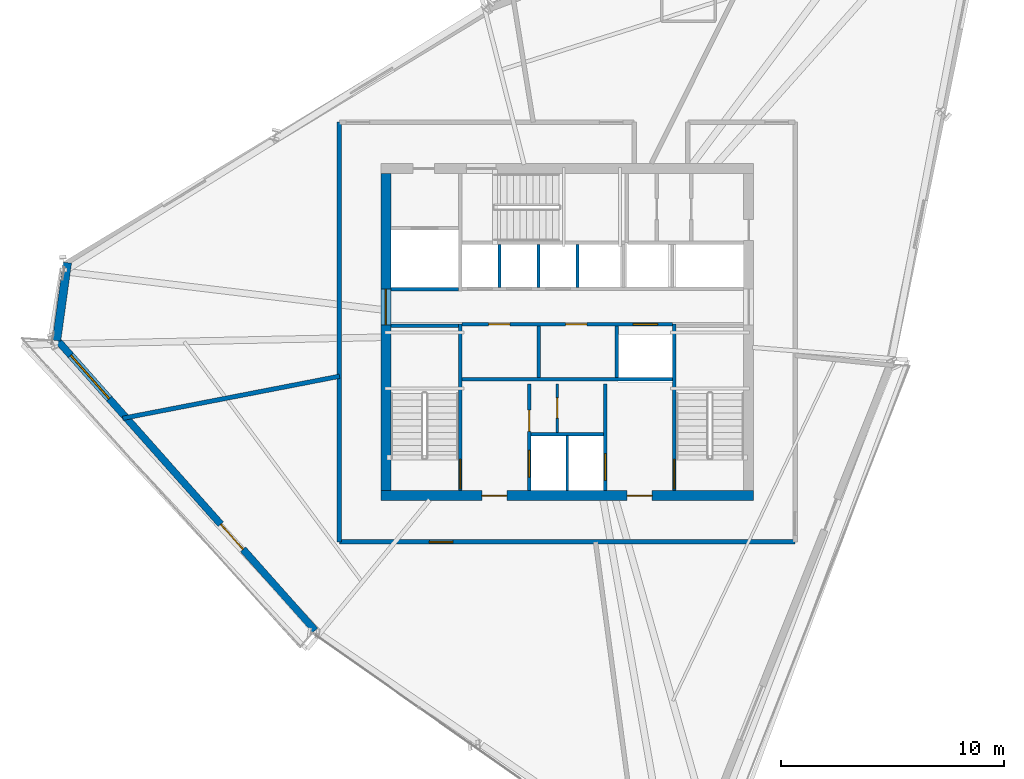
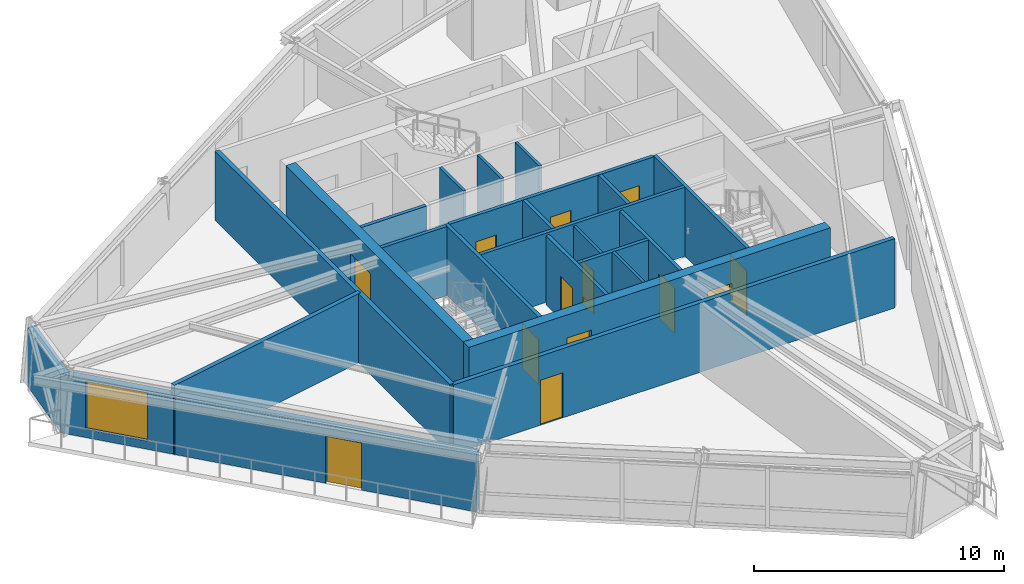
# One storey, part 8 of 13: 23 walls, 14 doors, 1 window, 15 openings.
"""IFC4 building model written with IfcOpenShell, lengths in metres."""

from ifc_helpers import new_model, si_unit, direction, frame, frame_2d, origin, place, context, subcontext, project, spatial, rectangle, extrude, source, transform, mapped, material, layer, layer_set, type_object, type_shapes, element, fill, save


model = new_model("IFC4")

# Units and contexts
model_context = context("Model", 3, precision=1e-05, world=origin(), true_north=direction((0.0, 1.0)))
body_context = subcontext(model_context, "Body", "Model", "MODEL_VIEW")
ifc_project = project(units=[si_unit("LENGTHUNIT", "METRE"), si_unit("AREAUNIT", "SQUARE_METRE"), si_unit("VOLUMEUNIT", "CUBIC_METRE"), si_unit("PLANEANGLEUNIT", "RADIAN"), si_unit("MASSUNIT", "GRAM", prefix="KILO")], contexts=[model_context])

# Site, building, storey
site_placement = place(None, origin())
site = spatial("IfcSite", under=ifc_project, at=site_placement, CompositionType="ELEMENT")
building_placement = place(site_placement, origin())
building = spatial("IfcBuilding", under=site, at=building_placement, Name="Olszyna Solenne Hotel", CompositionType="ELEMENT")
storey_placement = place(building_placement, frame((0.0, 0.0, 238.10009765625)))
storey = spatial("IfcBuildingStorey", under=building, at=storey_placement, Name="L63", CompositionType="ELEMENT", Elevation=238.10009765625)

# Wall, openings, doors
ifc_material_1 = material(Name="Concrete C50/60", Category="concrete")
ifc_layer_1 = layer(ifc_material_1, 0.449951171875, Name="Concrete C50/60")
ifc_layer_set_1 = layer_set([ifc_layer_1], Name="Concrete C50/60")
wall_type_1 = type_object("IfcWallType", Name="WL-CR450", PredefinedType="SHEAR", material=ifc_layer_set_1)
wall_1_placement = place(storey_placement, frame((46.35009765625, 19.27490234375, 0.0), z_axis=(0.0, 0.0, 1.0), x_axis=(-1.0, 0.0, 0.0)))
wall_1 = element("IfcWall", 1, at=wall_1_placement, inside=storey, type_object=wall_type_1, Name="Core shear wall WL-CR450 CRW-L63-S", PredefinedType="SHEAR", context=body_context, shape_type="SweptSolid", body=[
    extrude(rectangle(XDim=16.7001953125, YDim=0.449951171875, at=frame_2d((8.35009765625, 0.0))), origin(), (0.0, 0.0, 1.0), 3.3798828125),
])
opening_1_placement = place(wall_1_placement, frame((4.550048828125, 0.0, 0.0)))
opening_1 = element("IfcOpeningElement", 2, at=opening_1_placement, cuts=wall_1, Name="Opening FL-L63-1", PredefinedType="OPENING", context=body_context, shape_type="SweptSolid", body=[
    extrude(rectangle(XDim=1.1201171875, YDim=2.25, at=frame_2d((0.56005859375, 1.125))), frame((0.0, 0.23486328125, 0.0), z_axis=(0.0, -1.0, 0.0), x_axis=(1.0, 0.0, 0.0)), (0.0, 0.0, 1.0), 0.469970703125),
])
opening_2_placement = place(wall_1_placement, frame((11.050048828125, 0.0, 0.0)))
opening_2 = element("IfcOpeningElement", 3, at=opening_2_placement, cuts=wall_1, Name="Opening FL-L63-2", PredefinedType="OPENING", context=body_context, shape_type="SweptSolid", body=[
    extrude(rectangle(XDim=1.1201171875, YDim=2.25, at=frame_2d((0.56005859375, 1.125))), frame((0.0, 0.23486328125, 0.0), z_axis=(0.0, -1.0, 0.0), x_axis=(1.0, 0.0, 0.0)), (0.0, 0.0, 1.0), 0.469970703125),
])
ifc_material_2 = material(Name="Steel S355J2", Category="steel")
door_type_1 = type_object("IfcDoorType", Name="DR-FL1", OperationType="NOTDEFINED", PredefinedType="DOOR", material=ifc_material_2)
shared_shape_1 = source(origin(), body_context, "Body", "SweptSolid", [
    extrude(rectangle(XDim=1.1201171875, YDim=2.25, at=frame_2d((0.56005859375, 1.125))), frame((0.0, 0.02490234375, 0.0), z_axis=(0.0, -1.0, 0.0), x_axis=(1.0, 0.0, 0.0)), (0.0, 0.0, 1.0), 0.050048828125),
])
type_shapes(door_type_1, [shared_shape_1])
door_1_placement = place(opening_1_placement, origin())
door_1 = element("IfcDoor", 4, at=door_1_placement, inside=storey, type_object=door_type_1, Name="Firefighting lift lobby smoke door FL-L63-1", OperationType="SINGLE_SWING_LEFT", OverallHeight=2.25, OverallWidth=1.1201171875, PredefinedType="DOOR", context=body_context, shape_type="MappedRepresentation", body=[
    mapped(shared_shape_1, transform((0.0, 0.0, 0.0), x_axis=(1.0, 0.0, 0.0), y_axis=(0.0, 1.0, 0.0), z_axis=(0.0, 0.0, 1.0), scale=1.0)),
])
fill(opening_1, door_1)
door_2_placement = place(opening_2_placement, origin())
door_2 = element("IfcDoor", 5, at=door_2_placement, inside=storey, type_object=door_type_1, Name="Firefighting lift lobby smoke door FL-L63-2", OperationType="SINGLE_SWING_RIGHT", OverallHeight=2.25, OverallWidth=1.1201171875, PredefinedType="DOOR", context=body_context, shape_type="MappedRepresentation", body=[
    mapped(shared_shape_1, transform((0.0, 0.0, 0.0), x_axis=(1.0, 0.0, 0.0), y_axis=(0.0, 1.0, 0.0), z_axis=(0.0, 0.0, 1.0), scale=1.0)),
])
fill(opening_2, door_2)

# Wall, opening, door
wall_2_placement = place(storey_placement, frame((29.875, 19.5, 0.0), z_axis=(0.0, 0.0, 1.0), x_axis=(0.0, 1.0, 0.0)))
wall_2 = element("IfcWall", 6, at=wall_2_placement, inside=storey, type_object=wall_type_1, Name="Core shear wall WL-CR450 CRW-L63-W", PredefinedType="SHEAR", context=body_context, shape_type="SweptSolid", body=[
    extrude(rectangle(XDim=14.199951171875, YDim=0.449951171875, at=frame_2d((7.10009765625, 0.0))), origin(), (0.0, 0.0, 1.0), 3.3798828125),
])
opening_3_placement = place(wall_2_placement, frame((7.419921875, 0.0, 0.0)))
opening_3 = element("IfcOpeningElement", 7, at=opening_3_placement, cuts=wall_2, Name="Opening LHD-L63-W", PredefinedType="OPENING", context=body_context, shape_type="SweptSolid", body=[
    extrude(rectangle(XDim=1.60009765625, YDim=2.199951171875, at=frame_2d((0.800048828125, 1.10009765625))), frame((0.0, 0.23486328125, 0.0), z_axis=(0.0, -1.0, 0.0), x_axis=(1.0, 0.0, 0.0)), (0.0, 0.0, 1.0), 0.469970703125),
])
ifc_material_3 = material(Name="Timber hardwood", Category="wood")
door_type_2 = type_object("IfcDoorType", Name="DR-CR1", OperationType="DOUBLE_DOOR_SINGLE_SWING", PredefinedType="DOOR", material=ifc_material_3)
shared_shape_2 = source(origin(), body_context, "Body", "SweptSolid", [
    extrude(rectangle(XDim=1.60009765625, YDim=2.199951171875, at=frame_2d((0.800048828125, 1.10009765625))), frame((0.0, 0.02490234375, 0.0), z_axis=(0.0, -1.0, 0.0), x_axis=(1.0, 0.0, 0.0)), (0.0, 0.0, 1.0), 0.050048828125),
])
type_shapes(door_type_2, [shared_shape_2])
door_3_placement = place(opening_3_placement, origin())
door_3 = element("IfcDoor", 8, at=door_3_placement, inside=storey, type_object=door_type_2, Name="Passenger lift lobby West fire door LHD-L63-W", OperationType="DOUBLE_DOOR_SINGLE_SWING", OverallHeight=2.199951171875, OverallWidth=1.60009765625, PredefinedType="DOOR", context=body_context, shape_type="MappedRepresentation", body=[
    mapped(shared_shape_2, transform((0.0, 0.0, 0.0), x_axis=(1.0, 0.0, 0.0), y_axis=(0.0, 1.0, 0.0), z_axis=(0.0, 0.0, 1.0), scale=1.0)),
])
fill(opening_3, door_3)

# Wall, openings, door, window
ifc_material_4 = material(Name="Precast concrete C45/55", Category="concrete")
ifc_layer_2 = layer(ifc_material_4, 0.320068359375, Name="Precast concrete C45/55")
ifc_layer_set_2 = layer_set([ifc_layer_2], Name="Precast concrete C45/55")
wall_type_2 = type_object("IfcWallType", Name="WL-EX320", PredefinedType="SOLIDWALL", material=ifc_layer_set_2)
wall_3_placement = place(storey_placement, frame((26.708984375, 13.2373046875, 0.0), z_axis=(0.0, 0.0, 1.0), x_axis=(-0.664123592236, 0.74762280211, 0.0)))
wall_3 = element("IfcWall", 9, at=wall_3_placement, inside=storey, type_object=wall_type_2, Name="Exterior terracotta-precast frame wall WL-EX320 EW-L63-04", PredefinedType="SOLIDWALL", context=body_context, shape_type="SweptSolid", body=[
    extrude(rectangle(XDim=17.537353515625, YDim=0.320068359375, at=frame_2d((8.7685546875, 0.0))), origin(), (0.0, 0.0, 1.0), 2.871826171875),
])
opening_4_placement = place(wall_3_placement, frame((4.862060546875, 0.0, 0.0)))
opening_4 = element("IfcOpeningElement", 10, at=opening_4_placement, cuts=wall_3, Name="Opening LDG-L63-2", PredefinedType="OPENING", context=body_context, shape_type="SweptSolid", body=[
    extrude(rectangle(XDim=1.5, YDim=2.300048828125, at=frame_2d((0.75, 1.14990234375))), frame((0.0, 0.169921875, 0.0), z_axis=(0.0, -1.0, 0.0), x_axis=(1.0, 0.0, 0.0)), (0.0, 0.0, 1.0), 0.340087890625),
])
opening_5_placement = place(wall_3_placement, frame((13.8779296875, 0.0, 0.402099609375)))
opening_5 = element("IfcOpeningElement", 11, at=opening_5_placement, cuts=wall_3, Name="Opening WN-L63-410", PredefinedType="OPENING", context=body_context, shape_type="SweptSolid", body=[
    extrude(rectangle(XDim=2.60009765625, YDim=2.35009765625, at=frame_2d((1.300048828125, 1.175048828125))), frame((0.0, 0.169921875, 0.0), z_axis=(0.0, -1.0, 0.0), x_axis=(1.0, 0.0, 0.0)), (0.0, 0.0, 1.0), 0.340087890625),
])
ifc_material_5 = material(Name="Anodised bronze aluminium", Category="aluminium")
door_type_3 = type_object("IfcDoorType", Name="DR-LG2", OperationType="DOUBLE_DOOR_SINGLE_SWING", PredefinedType="DOOR", material=ifc_material_5)
shared_shape_3 = source(origin(), body_context, "Body", "SweptSolid", [
    extrude(rectangle(XDim=1.5, YDim=2.300048828125, at=frame_2d((0.75, 1.14990234375))), frame((0.0, 0.02490234375, 0.0), z_axis=(0.0, -1.0, 0.0), x_axis=(1.0, 0.0, 0.0)), (0.0, 0.0, 1.0), 0.050048828125),
])
type_shapes(door_type_3, [shared_shape_3])
door_4_placement = place(opening_4_placement, origin())
door_4 = element("IfcDoor", 12, at=door_4_placement, inside=storey, type_object=door_type_3, Name="Exterior loggia balcony door DR-LG2 LDG-L63-2", OperationType="DOUBLE_DOOR_SINGLE_SWING", OverallHeight=2.300048828125, OverallWidth=1.5, PredefinedType="DOOR", context=body_context, shape_type="MappedRepresentation", body=[
    mapped(shared_shape_3, transform((0.0, 0.0, 0.0), x_axis=(1.0, 0.0, 0.0), y_axis=(0.0, 1.0, 0.0), z_axis=(0.0, 0.0, 1.0), scale=1.0)),
])
fill(opening_4, door_4)
ifc_material_6 = material(Name="Low-E triple glazing", Category="glass")
window_type = type_object("IfcWindowType", Name="WN-ST1", PartitioningType="SINGLE_PANEL", PredefinedType="WINDOW", material=ifc_material_6)
shared_shape_4 = source(origin(), body_context, "Body", "SweptSolid", [
    extrude(rectangle(XDim=2.60009765625, YDim=2.35009765625, at=frame_2d((1.300048828125, 1.175048828125))), frame((0.0, 0.030029296875, 0.0), z_axis=(0.0, -1.0, 0.0), x_axis=(1.0, 0.0, 0.0)), (0.0, 0.0, 1.0), 0.06005859375),
])
type_shapes(window_type, [shared_shape_4])
window_placement = place(opening_5_placement, origin())
window = element("IfcWindow", 13, at=window_placement, inside=storey, type_object=window_type, Name="Loggia room window WN-ST1 WN-L63-410", OverallHeight=2.35009765625, OverallWidth=2.60009765625, PartitioningType="SINGLE_PANEL", PredefinedType="WINDOW", context=body_context, shape_type="MappedRepresentation", body=[
    mapped(shared_shape_4, transform((0.0, 0.0, 0.0), x_axis=(1.0, 0.0, 0.0), y_axis=(0.0, 1.0, 0.0), z_axis=(0.0, 0.0, 1.0), scale=1.0)),
])
fill(opening_5, window)

# Walls
ifc_material_7 = material(Name="Terracotta cladding on precast concrete C45/55", Category="masonry")
ifc_layer_3 = layer(ifc_material_7, 0.3798828125, Name="Terracotta cladding on precast concrete C45/55")
ifc_layer_set_3 = layer_set([ifc_layer_3], Name="Terracotta cladding on precast concrete C45/55")
wall_type_3 = type_object("IfcWallType", Name="WL-EX380", PredefinedType="SOLIDWALL", material=ifc_layer_set_3)
wall_4_placement = place(storey_placement, frame((15.130615234375, 26.21630859375, 0.0), z_axis=(0.0, 0.0, 1.0), x_axis=(0.137394655233, 0.990516384879, 0.0)))
element("IfcWall", 14, at=wall_4_placement, inside=storey, type_object=wall_type_3, Name="Exterior terracotta-precast frame wall WL-EX380 EW-L63-05", PredefinedType="SOLIDWALL", context=body_context, shape_type="SweptSolid", body=[
    extrude(rectangle(XDim=3.523681640625, YDim=0.3798828125, at=frame_2d((1.76171875, 0.0))), origin(), (0.0, 0.0, 1.0), 2.871826171875),
])
ifc_material_8 = material(Name="Acoustic gypsum partition", Category="gypsum")
ifc_layer_4 = layer(ifc_material_8, 0.125, Name="Acoustic gypsum partition")
ifc_layer_set_4 = layer_set([ifc_layer_4], Name="Acoustic gypsum partition")
wall_type_4 = type_object("IfcWallType", Name="WL-PT125", PredefinedType="PARTITIONING", material=ifc_layer_set_4)
wall_5_placement = place(storey_placement, frame((38.0, 19.5, 0.0), z_axis=(0.0, 0.0, 1.0), x_axis=(0.0, 1.0, 0.0)))
element("IfcWall", 15, at=wall_5_placement, inside=storey, type_object=wall_type_4, Name="Core shaft compartment wall CW-L63-FFM", PredefinedType="PARTITIONING", context=body_context, shape_type="SweptSolid", body=[
    extrude(rectangle(XDim=2.4599609375, YDim=0.125, at=frame_2d((1.22998046875, 0.0))), origin(), (0.0, 0.0, 1.0), 3.3798828125),
])

# Wall, opening, door
wall_6_placement = place(storey_placement, frame((37.553955078125, 22.10009765625, 0.0), z_axis=(0.0, 0.0, 1.0), x_axis=(0.0, 1.0, 0.0)))
wall_6 = element("IfcWall", 16, at=wall_6_placement, inside=storey, type_object=wall_type_4, Name="Core shaft compartment wall CW-L63-SC3", PredefinedType="PARTITIONING", context=body_context, shape_type="SweptSolid", body=[
    extrude(rectangle(XDim=2.179931640625, YDim=0.125, at=frame_2d((1.08984375, 0.0))), origin(), (0.0, 0.0, 1.0), 3.3798828125),
])
opening_6_placement = place(wall_6_placement, frame((0.64990234375, 0.0, 0.0)))
opening_6 = element("IfcOpeningElement", 17, at=opening_6_placement, cuts=wall_6, Name="Opening SVD-L63-SC3", PredefinedType="OPENING", context=body_context, shape_type="SweptSolid", body=[
    extrude(rectangle(XDim=0.89990234375, YDim=2.10009765625, at=frame_2d((0.449951171875, 1.050048828125))), frame((0.0, 0.072509765625, 0.0), z_axis=(0.0, -1.0, 0.0), x_axis=(1.0, 0.0, 0.0)), (0.0, 0.0, 1.0), 0.14501953125),
])
door_type_4 = type_object("IfcDoorType", Name="DR-WC1", OperationType="NOTDEFINED", PredefinedType="DOOR", material=ifc_material_3)
shared_shape_5 = source(origin(), body_context, "Body", "SweptSolid", [
    extrude(rectangle(XDim=0.89990234375, YDim=2.10009765625, at=frame_2d((0.449951171875, 1.050048828125))), frame((0.0, 0.02490234375, 0.0), z_axis=(0.0, -1.0, 0.0), x_axis=(1.0, 0.0, 0.0)), (0.0, 0.0, 1.0), 0.050048828125),
])
type_shapes(door_type_4, [shared_shape_5])
door_5_placement = place(opening_6_placement, origin())
door_5 = element("IfcDoor", 18, at=door_5_placement, inside=storey, type_object=door_type_4, Name="Trolley bay door SVD-L63-SC3", OperationType="SINGLE_SWING_LEFT", OverallHeight=2.10009765625, OverallWidth=0.89990234375, PredefinedType="DOOR", context=body_context, shape_type="MappedRepresentation", body=[
    mapped(shared_shape_5, transform((0.0, 0.0, 0.0), x_axis=(1.0, 0.0, 0.0), y_axis=(0.0, 1.0, 0.0), z_axis=(0.0, 0.0, 1.0), scale=1.0)),
])
fill(opening_6, door_5)

# Walls
for number, where, z_axis, x_axis, name in (
    (19, (34.965087890625, 28.60009765625, 0.0), (0.0, 0.0, 1.0), (0.0, 1.0, 0.0), "Core shaft compartment wall CW-L63-DIVN349"),
    (20, (36.715087890625, 28.60009765625, 0.0), (0.0, 0.0, 1.0), (0.0, 1.0, 0.0), "Core shaft compartment wall CW-L63-DIVN367"),
    (21, (38.465087890625, 28.60009765625, 0.0), (0.0, 0.0, 1.0), (0.0, 1.0, 0.0), "Core shaft compartment wall CW-L63-DIVN384"),
):
    element("IfcWall", number, at=place(storey_placement, frame(where, z_axis=z_axis, x_axis=x_axis)), inside=storey, type_object=wall_type_4, Name=name, PredefinedType="PARTITIONING", context=body_context, shape_type="SweptSolid", body=[
        extrude(rectangle(XDim=1.919921875, YDim=0.125, at=frame_2d((0.9599609375, 0.0))), origin(), (0.0, 0.0, 1.0), 3.3798828125),
    ])

# Wall, opening, door
ifc_layer_5 = layer(ifc_material_8, 0.159912109375, Name="Acoustic gypsum partition")
ifc_layer_set_5 = layer_set([ifc_layer_5], Name="Acoustic gypsum partition")
wall_type_5 = type_object("IfcWallType", Name="WL-PT160", PredefinedType="PARTITIONING", material=ifc_layer_set_5)
wall_7_placement = place(storey_placement, frame((33.199951171875, 19.5, 0.0), z_axis=(0.0, 0.0, 1.0), x_axis=(0.0, 1.0, 0.0)))
wall_7 = element("IfcWall", 22, at=wall_7_placement, inside=storey, type_object=wall_type_5, Name="Core shaft compartment wall CW-L63-ST1E", PredefinedType="PARTITIONING", context=body_context, shape_type="SweptSolid", body=[
    extrude(rectangle(XDim=7.4599609375, YDim=0.159912109375, at=frame_2d((3.72998046875, 0.0))), origin(), (0.0, 0.0, 1.0), 3.3798828125),
])
opening_7_placement = place(wall_7_placement, frame((0.080078125, 0.0, 0.0)))
opening_7 = element("IfcOpeningElement", 23, at=opening_7_placement, cuts=wall_7, Name="Opening STD-L63-01", PredefinedType="OPENING", context=body_context, shape_type="SweptSolid", body=[
    extrude(rectangle(XDim=1.320068359375, YDim=2.199951171875, at=frame_2d((0.66015625, 1.10009765625))), frame((0.0, 0.08984375, 0.0), z_axis=(0.0, -1.0, 0.0), x_axis=(1.0, 0.0, 0.0)), (0.0, 0.0, 1.0), 0.179931640625),
])
door_type_5 = type_object("IfcDoorType", Name="DR-ST1", OperationType="NOTDEFINED", PredefinedType="DOOR", material=ifc_material_2)
shared_shape_6 = source(origin(), body_context, "Body", "SweptSolid", [
    extrude(rectangle(XDim=1.320068359375, YDim=2.199951171875, at=frame_2d((0.66015625, 1.10009765625))), frame((0.0, 0.02490234375, 0.0), z_axis=(0.0, -1.0, 0.0), x_axis=(1.0, 0.0, 0.0)), (0.0, 0.0, 1.0), 0.050048828125),
])
type_shapes(door_type_5, [shared_shape_6])
door_6_placement = place(opening_7_placement, origin())
door_6 = element("IfcDoor", 24, at=door_6_placement, inside=storey, type_object=door_type_5, Name="Pressurised exit stair ST1 fire door STD-L63-01", OperationType="SINGLE_SWING_LEFT", OverallHeight=2.199951171875, OverallWidth=1.320068359375, PredefinedType="DOOR", context=body_context, shape_type="MappedRepresentation", body=[
    mapped(shared_shape_6, transform((0.0, 0.0, 0.0), x_axis=(1.0, 0.0, 0.0), y_axis=(0.0, 1.0, 0.0), z_axis=(0.0, 0.0, 1.0), scale=1.0)),
])
fill(opening_7, door_6)

# Wall
wall_8_placement = place(storey_placement, frame((30.10009765625, 26.8798828125, 0.0), z_axis=(0.0, 0.0, 1.0), x_axis=(1.0, 0.0, 0.0)))
element("IfcWall", 25, at=wall_8_placement, inside=storey, type_object=wall_type_5, Name="Core shaft compartment wall CW-L63-ST1N", PredefinedType="PARTITIONING", context=body_context, shape_type="SweptSolid", body=[
    extrude(rectangle(XDim=3.02001953125, YDim=0.159912109375, at=frame_2d((1.510009765625, 0.0))), origin(), (0.0, 0.0, 1.0), 3.3798828125),
])

# Wall, opening, door
wall_9_placement = place(storey_placement, frame((42.800048828125, 26.9599609375, 0.0), z_axis=(0.0, 0.0, 1.0), x_axis=(0.0, -1.0, 0.0)))
wall_9 = element("IfcWall", 26, at=wall_9_placement, inside=storey, type_object=wall_type_5, Name="Core shaft compartment wall CW-L63-ST2W", PredefinedType="PARTITIONING", context=body_context, shape_type="SweptSolid", body=[
    extrude(rectangle(XDim=7.4599609375, YDim=0.159912109375, at=frame_2d((3.72998046875, 0.0))), origin(), (0.0, 0.0, 1.0), 3.3798828125),
])
opening_8_placement = place(wall_9_placement, frame((6.06005859375, 0.0, 0.0)))
opening_8 = element("IfcOpeningElement", 27, at=opening_8_placement, cuts=wall_9, Name="Opening STD-L63-02", PredefinedType="OPENING", context=body_context, shape_type="SweptSolid", body=[
    extrude(rectangle(XDim=1.320068359375, YDim=2.199951171875, at=frame_2d((0.66015625, 1.10009765625))), frame((0.0, 0.08984375, 0.0), z_axis=(0.0, -1.0, 0.0), x_axis=(1.0, 0.0, 0.0)), (0.0, 0.0, 1.0), 0.179931640625),
])
door_7_placement = place(opening_8_placement, origin())
door_7 = element("IfcDoor", 28, at=door_7_placement, inside=storey, type_object=door_type_5, Name="Pressurised exit stair ST2 fire door STD-L63-02", OperationType="SINGLE_SWING_RIGHT", OverallHeight=2.199951171875, OverallWidth=1.320068359375, PredefinedType="DOOR", context=body_context, shape_type="MappedRepresentation", body=[
    mapped(shared_shape_6, transform((0.0, 0.0, 0.0), x_axis=(1.0, 0.0, 0.0), y_axis=(0.0, 1.0, 0.0), z_axis=(0.0, 0.0, 1.0), scale=1.0)),
])
fill(opening_8, door_7)

# Wall, openings, doors
wall_10_placement = place(storey_placement, frame((36.300048828125, 19.5, 0.0), z_axis=(0.0, 0.0, 1.0), x_axis=(0.0, 1.0, 0.0)))
wall_10 = element("IfcWall", 29, at=wall_10_placement, inside=storey, type_object=wall_type_5, Name="Core shaft compartment wall CW-L63-FF1W", PredefinedType="PARTITIONING", context=body_context, shape_type="SweptSolid", body=[
    extrude(rectangle(XDim=4.780029296875, YDim=0.159912109375, at=frame_2d((2.39013671875, 0.0))), origin(), (0.0, 0.0, 1.0), 3.3798828125),
])
opening_9_placement = place(wall_10_placement, frame((0.60009765625, 0.0, 0.0)))
opening_9 = element("IfcOpeningElement", 30, at=opening_9_placement, cuts=wall_10, Name="Opening LD-L63-FF1", PredefinedType="OPENING", context=body_context, shape_type="SweptSolid", body=[
    extrude(rectangle(XDim=1.199951171875, YDim=2.199951171875, at=frame_2d((0.60009765625, 1.10009765625))), frame((0.0, 0.08984375, 0.0), z_axis=(0.0, -1.0, 0.0), x_axis=(1.0, 0.0, 0.0)), (0.0, 0.0, 1.0), 0.179931640625),
])
opening_10_placement = place(wall_10_placement, frame((2.64990234375, 0.0, 0.0)))
opening_10 = element("IfcOpeningElement", 31, at=opening_10_placement, cuts=wall_10, Name="Opening SVD-L63-SMK", PredefinedType="OPENING", context=body_context, shape_type="SweptSolid", body=[
    extrude(rectangle(XDim=0.949951171875, YDim=2.10009765625, at=frame_2d((0.47509765625, 1.050048828125))), frame((0.0, 0.08984375, 0.0), z_axis=(0.0, -1.0, 0.0), x_axis=(1.0, 0.0, 0.0)), (0.0, 0.0, 1.0), 0.179931640625),
])
door_type_6 = type_object("IfcDoorType", Name="DR-SV1", OperationType="NOTDEFINED", PredefinedType="DOOR", material=ifc_material_2)
shared_shape_7 = source(origin(), body_context, "Body", "SweptSolid", [
    extrude(rectangle(XDim=0.949951171875, YDim=2.10009765625, at=frame_2d((0.47509765625, 1.050048828125))), frame((0.0, 0.02490234375, 0.0), z_axis=(0.0, -1.0, 0.0), x_axis=(1.0, 0.0, 0.0)), (0.0, 0.0, 1.0), 0.050048828125),
])
type_shapes(door_type_6, [shared_shape_7])
door_8_placement = place(opening_10_placement, origin())
door_8 = element("IfcDoor", 32, at=door_8_placement, inside=storey, type_object=door_type_6, Name="Valet and core service room door SVD-L63-SMK", OperationType="SINGLE_SWING_LEFT", OverallHeight=2.10009765625, OverallWidth=0.949951171875, PredefinedType="DOOR", context=body_context, shape_type="MappedRepresentation", body=[
    mapped(shared_shape_7, transform((0.0, 0.0, 0.0), x_axis=(1.0, 0.0, 0.0), y_axis=(0.0, 1.0, 0.0), z_axis=(0.0, 0.0, 1.0), scale=1.0)),
])
fill(opening_10, door_8)
door_type_7 = type_object("IfcDoorType", Name="LD-FF1", OperationType="DOUBLE_DOOR_SLIDING", PredefinedType="DOOR", material=ifc_material_2)
shared_shape_8 = source(origin(), body_context, "Body", "SweptSolid", [
    extrude(rectangle(XDim=1.199951171875, YDim=2.199951171875, at=frame_2d((0.60009765625, 1.10009765625))), frame((0.0, 0.02490234375, 0.0), z_axis=(0.0, -1.0, 0.0), x_axis=(1.0, 0.0, 0.0)), (0.0, 0.0, 1.0), 0.050048828125),
])
type_shapes(door_type_7, [shared_shape_8])
door_9_placement = place(opening_9_placement, origin())
door_9 = element("IfcDoor", 33, at=door_9_placement, inside=storey, type_object=door_type_7, Name="Firefighters lift FF1 sliding landing door LD-L63-FF1", OperationType="DOUBLE_DOOR_SLIDING", OverallHeight=2.199951171875, OverallWidth=1.199951171875, PredefinedType="DOOR", context=body_context, shape_type="MappedRepresentation", body=[
    mapped(shared_shape_8, transform((0.0, 0.0, 0.0), x_axis=(1.0, 0.0, 0.0), y_axis=(0.0, 1.0, 0.0), z_axis=(0.0, 0.0, 1.0), scale=1.0)),
])
fill(opening_9, door_9)

# Wall, opening, door
wall_11_placement = place(storey_placement, frame((39.699951171875, 24.280029296875, 0.0), z_axis=(0.0, 0.0, 1.0), x_axis=(0.0, -1.0, 0.0)))
wall_11 = element("IfcWall", 34, at=wall_11_placement, inside=storey, type_object=wall_type_5, Name="Core shaft compartment wall CW-L63-FF2E", PredefinedType="PARTITIONING", context=body_context, shape_type="SweptSolid", body=[
    extrude(rectangle(XDim=4.780029296875, YDim=0.159912109375, at=frame_2d((2.39013671875, 0.0))), origin(), (0.0, 0.0, 1.0), 3.3798828125),
])
opening_11_placement = place(wall_11_placement, frame((3.1201171875, 0.0, 0.0)))
opening_11 = element("IfcOpeningElement", 35, at=opening_11_placement, cuts=wall_11, Name="Opening LD-L63-FF2", PredefinedType="OPENING", context=body_context, shape_type="SweptSolid", body=[
    extrude(rectangle(XDim=1.199951171875, YDim=2.199951171875, at=frame_2d((0.60009765625, 1.10009765625))), frame((0.0, 0.08984375, 0.0), z_axis=(0.0, -1.0, 0.0), x_axis=(1.0, 0.0, 0.0)), (0.0, 0.0, 1.0), 0.179931640625),
])
door_10_placement = place(opening_11_placement, origin())
door_10 = element("IfcDoor", 36, at=door_10_placement, inside=storey, type_object=door_type_7, Name="Firefighters lift FF2 sliding landing door LD-L63-FF2", OperationType="DOUBLE_DOOR_SLIDING", OverallHeight=2.199951171875, OverallWidth=1.199951171875, PredefinedType="DOOR", context=body_context, shape_type="MappedRepresentation", body=[
    mapped(shared_shape_8, transform((0.0, 0.0, 0.0), x_axis=(1.0, 0.0, 0.0), y_axis=(0.0, 1.0, 0.0), z_axis=(0.0, 0.0, 1.0), scale=1.0)),
])
fill(opening_11, door_10)

# Walls
wall_12_placement = place(storey_placement, frame((36.3798828125, 22.02001953125, 0.0), z_axis=(0.0, 0.0, 1.0), x_axis=(1.0, 0.0, 0.0)))
element("IfcWall", 37, at=wall_12_placement, inside=storey, type_object=wall_type_5, Name="Core shaft compartment wall CW-L63-FFN", PredefinedType="PARTITIONING", context=body_context, shape_type="SweptSolid", body=[
    extrude(rectangle(XDim=3.240234375, YDim=0.159912109375, at=frame_2d((1.6201171875, 0.0))), origin(), (0.0, 0.0, 1.0), 3.3798828125),
])
wall_13_placement = place(storey_placement, frame((33.280029296875, 24.489990234375, 0.0), z_axis=(0.0, 0.0, 1.0), x_axis=(1.0, 0.0, 0.0)))
element("IfcWall", 38, at=wall_13_placement, inside=storey, type_object=wall_type_5, Name="Core shaft compartment wall CW-L63-FFBN", PredefinedType="PARTITIONING", context=body_context, shape_type="SweptSolid", body=[
    extrude(rectangle(XDim=9.43994140625, YDim=0.159912109375, at=frame_2d((4.719970703125, 0.0))), origin(), (0.0, 0.0, 1.0), 3.3798828125),
])
wall_14_placement = place(storey_placement, frame((30.10009765625, 28.52001953125, 0.0), z_axis=(0.0, 0.0, 1.0), x_axis=(1.0, 0.0, 0.0)))
element("IfcWall", 39, at=wall_14_placement, inside=storey, type_object=wall_type_5, Name="Core shaft compartment wall CW-L63-SV1S", PredefinedType="PARTITIONING", context=body_context, shape_type="SweptSolid", body=[
    extrude(rectangle(XDim=3.02001953125, YDim=0.159912109375, at=frame_2d((1.510009765625, 0.0))), origin(), (0.0, 0.0, 1.0), 3.3798828125),
])

# Wall, openings, doors
wall_15_placement = place(storey_placement, frame((33.280029296875, 26.949951171875, 0.0), z_axis=(0.0, 0.0, 1.0), x_axis=(1.0, 0.0, 0.0)))
wall_15 = element("IfcWall", 40, at=wall_15_placement, inside=storey, type_object=wall_type_5, Name="Core shaft compartment wall CW-L63-LRS", PredefinedType="PARTITIONING", context=body_context, shape_type="SweptSolid", body=[
    extrude(rectangle(XDim=9.43994140625, YDim=0.159912109375, at=frame_2d((4.719970703125, 0.0))), origin(), (0.0, 0.0, 1.0), 3.3798828125),
])
opening_12_placement = place(wall_15_placement, frame((1.199951171875, 0.0, 0.0)))
opening_12 = element("IfcOpeningElement", 41, at=opening_12_placement, cuts=wall_15, Name="Opening SVD-L63-L71", PredefinedType="OPENING", context=body_context, shape_type="SweptSolid", body=[
    extrude(rectangle(XDim=0.949951171875, YDim=2.10009765625, at=frame_2d((0.47509765625, 1.050048828125))), frame((0.0, 0.08984375, 0.0), z_axis=(0.0, -1.0, 0.0), x_axis=(1.0, 0.0, 0.0)), (0.0, 0.0, 1.0), 0.179931640625),
])
opening_13_placement = place(wall_15_placement, frame((4.64990234375, 0.0, 0.0)))
opening_13 = element("IfcOpeningElement", 42, at=opening_13_placement, cuts=wall_15, Name="Opening SVD-L63-L72", PredefinedType="OPENING", context=body_context, shape_type="SweptSolid", body=[
    extrude(rectangle(XDim=0.949951171875, YDim=2.10009765625, at=frame_2d((0.47509765625, 1.050048828125))), frame((0.0, 0.08984375, 0.0), z_axis=(0.0, -1.0, 0.0), x_axis=(1.0, 0.0, 0.0)), (0.0, 0.0, 1.0), 0.179931640625),
])
opening_14_placement = place(wall_15_placement, frame((7.669921875, 0.0, 0.0)))
opening_14 = element("IfcOpeningElement", 43, at=opening_14_placement, cuts=wall_15, Name="Opening LD-L63-PL5", PredefinedType="OPENING", context=body_context, shape_type="SweptSolid", body=[
    extrude(rectangle(XDim=1.10009765625, YDim=2.199951171875, at=frame_2d((0.550048828125, 1.10009765625))), frame((0.0, 0.08984375, 0.0), z_axis=(0.0, -1.0, 0.0), x_axis=(1.0, 0.0, 0.0)), (0.0, 0.0, 1.0), 0.179931640625),
])
door_11_placement = place(opening_12_placement, origin())
door_11 = element("IfcDoor", 44, at=door_11_placement, inside=storey, type_object=door_type_6, Name="Recaptured core room fire door SVD-L63-L71", OperationType="SINGLE_SWING_LEFT", OverallHeight=2.10009765625, OverallWidth=0.949951171875, PredefinedType="DOOR", context=body_context, shape_type="MappedRepresentation", body=[
    mapped(shared_shape_7, transform((0.0, 0.0, 0.0), x_axis=(1.0, 0.0, 0.0), y_axis=(0.0, 1.0, 0.0), z_axis=(0.0, 0.0, 1.0), scale=1.0)),
])
fill(opening_12, door_11)
door_12_placement = place(opening_13_placement, origin())
door_12 = element("IfcDoor", 45, at=door_12_placement, inside=storey, type_object=door_type_6, Name="Recaptured core room fire door SVD-L63-L72", OperationType="SINGLE_SWING_RIGHT", OverallHeight=2.10009765625, OverallWidth=0.949951171875, PredefinedType="DOOR", context=body_context, shape_type="MappedRepresentation", body=[
    mapped(shared_shape_7, transform((0.0, 0.0, 0.0), x_axis=(1.0, 0.0, 0.0), y_axis=(0.0, 1.0, 0.0), z_axis=(0.0, 0.0, 1.0), scale=1.0)),
])
fill(opening_13, door_12)
door_type_8 = type_object("IfcDoorType", Name="LD-P1", OperationType="DOUBLE_DOOR_SLIDING", PredefinedType="DOOR", material=ifc_material_2)
shared_shape_9 = source(origin(), body_context, "Body", "SweptSolid", [
    extrude(rectangle(XDim=1.10009765625, YDim=2.199951171875, at=frame_2d((0.550048828125, 1.10009765625))), frame((0.0, 0.02490234375, 0.0), z_axis=(0.0, -1.0, 0.0), x_axis=(1.0, 0.0, 0.0)), (0.0, 0.0, 1.0), 0.050048828125),
])
type_shapes(door_type_8, [shared_shape_9])
door_13_placement = place(opening_14_placement, origin())
door_13 = element("IfcDoor", 46, at=door_13_placement, inside=storey, type_object=door_type_8, Name="Passenger lift PL5 sliding landing door LD-L63-PL5", OperationType="DOUBLE_DOOR_SLIDING", OverallHeight=2.199951171875, OverallWidth=1.10009765625, PredefinedType="DOOR", context=body_context, shape_type="MappedRepresentation", body=[
    mapped(shared_shape_9, transform((0.0, 0.0, 0.0), x_axis=(1.0, 0.0, 0.0), y_axis=(0.0, 1.0, 0.0), z_axis=(0.0, 0.0, 1.0), scale=1.0)),
])
fill(opening_14, door_13)

# Walls
for number, where, z_axis, x_axis, name in (
    (47, (36.72998046875, 24.56005859375, 0.0), (0.0, 0.0, 1.0), (0.0, 1.0, 0.0), "Core shaft compartment wall CW-L63-LV7DIV1"),
    (48, (40.215087890625, 24.56005859375, 0.0), (0.0, 0.0, 1.0), (0.0, 1.0, 0.0), "Core shaft compartment wall CW-L63-LV7DIV2"),
):
    element("IfcWall", number, at=place(storey_placement, frame(where, z_axis=z_axis, x_axis=x_axis)), inside=storey, type_object=wall_type_5, Name=name, PredefinedType="PARTITIONING", context=body_context, shape_type="SweptSolid", body=[
        extrude(rectangle(XDim=2.31005859375, YDim=0.159912109375, at=frame_2d((1.155029296875, 0.0))), origin(), (0.0, 0.0, 1.0), 3.3798828125),
    ])
ifc_layer_6 = layer(ifc_material_8, 0.199951171875, Name="Acoustic gypsum partition")
ifc_layer_set_6 = layer_set([ifc_layer_6], Name="Acoustic gypsum partition")
wall_type_6 = type_object("IfcWallType", Name="WL-PT200", PredefinedType="PARTITIONING", material=ifc_layer_set_6)
wall_16_placement = place(storey_placement, frame((27.800048828125, 24.6201171875, 0.0), z_axis=(0.0, 0.0, 1.0), x_axis=(-0.981681019312, -0.190531824958, 0.0)))
element("IfcWall", 49, at=wall_16_placement, inside=storey, type_object=wall_type_6, Name="Interior acoustic partition WL-PT200 PW-L63-3489", PredefinedType="PARTITIONING", context=body_context, shape_type="SweptSolid", body=[
    extrude(rectangle(XDim=9.884521484375, YDim=0.199951171875, at=frame_2d((4.9423828125, 0.0))), origin(), (0.0, 0.0, 1.0), 3.3798828125),
])

# Wall, opening, door
wall_17_placement = place(storey_placement, frame((27.800048828125, 17.199951171875, 0.0), z_axis=(0.0, 0.0, 1.0), x_axis=(1.0, 0.0, 0.0)))
wall_17 = element("IfcWall", 50, at=wall_17_placement, inside=storey, type_object=wall_type_6, Name="Interior acoustic partition WL-PT200 PW-L63-3501", PredefinedType="PARTITIONING", context=body_context, shape_type="SweptSolid", body=[
    extrude(rectangle(XDim=20.39990234375, YDim=0.199951171875, at=frame_2d((10.199951171875, 0.0))), origin(), (0.0, 0.0, 1.0), 3.3798828125),
])
opening_15_placement = place(wall_17_placement, frame((4.02392578125, 0.0, 0.0)))
opening_15 = element("IfcOpeningElement", 51, at=opening_15_placement, cuts=wall_17, Name="Opening DR-L63-0853", PredefinedType="OPENING", context=body_context, shape_type="SweptSolid", body=[
    extrude(rectangle(XDim=1.050048828125, YDim=2.199951171875, at=frame_2d((0.52490234375, 1.10009765625))), frame((0.0, 0.10986328125, 0.0), z_axis=(0.0, -1.0, 0.0), x_axis=(1.0, 0.0, 0.0)), (0.0, 0.0, 1.0), 0.219970703125),
])
door_type_9 = type_object("IfcDoorType", Name="DR-RM2", OperationType="NOTDEFINED", PredefinedType="DOOR", material=ifc_material_3)
shared_shape_10 = source(origin(), body_context, "Body", "SweptSolid", [
    extrude(rectangle(XDim=1.050048828125, YDim=2.199951171875, at=frame_2d((0.52490234375, 1.10009765625))), frame((0.0, 0.02490234375, 0.0), z_axis=(0.0, -1.0, 0.0), x_axis=(1.0, 0.0, 0.0)), (0.0, 0.0, 1.0), 0.050048828125),
])
type_shapes(door_type_9, [shared_shape_10])
door_14_placement = place(opening_15_placement, origin())
door_14 = element("IfcDoor", 52, at=door_14_placement, inside=storey, type_object=door_type_9, Name="Breakfast Tasting Salon Entrance Door DR-L63-0853", OperationType="SINGLE_SWING_LEFT", OverallHeight=2.199951171875, OverallWidth=1.050048828125, PredefinedType="DOOR", context=body_context, shape_type="MappedRepresentation", body=[
    mapped(shared_shape_10, transform((0.0, 0.0, 0.0), x_axis=(1.0, 0.0, 0.0), y_axis=(0.0, 1.0, 0.0), z_axis=(0.0, 0.0, 1.0), scale=1.0)),
])
fill(opening_15, door_14)

# Wall
wall_18_placement = place(storey_placement, frame((27.800048828125, 17.199951171875, 0.0), z_axis=(0.0, 0.0, 1.0), x_axis=(0.0, 1.0, 0.0)))
element("IfcWall", 53, at=wall_18_placement, inside=storey, type_object=wall_type_6, Name="Interior acoustic partition WL-PT200 PW-L63-3502", PredefinedType="PARTITIONING", context=body_context, shape_type="SweptSolid", body=[
    extrude(rectangle(XDim=18.800048828125, YDim=0.199951171875, at=frame_2d((9.39990234375, 0.0))), origin(), (0.0, 0.0, 1.0), 3.3798828125),
])

save(model, "model.ifc")
